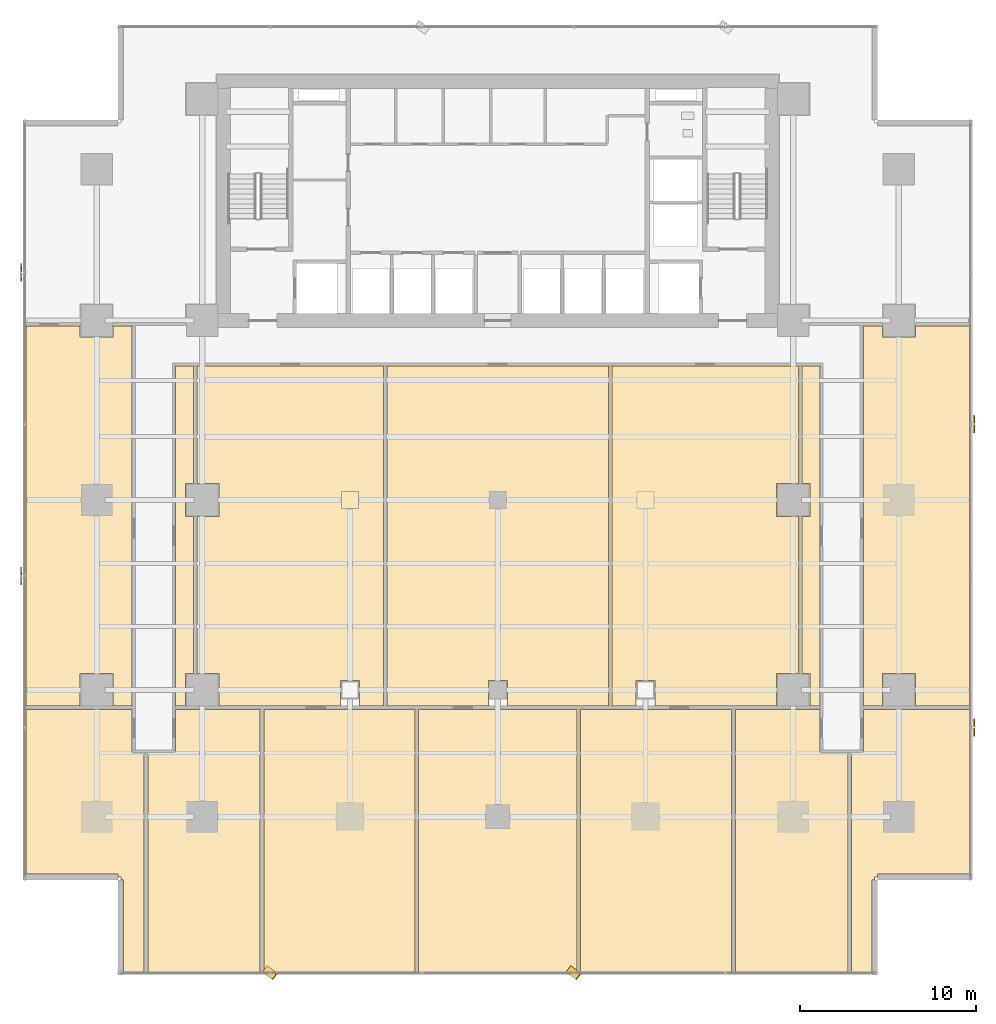
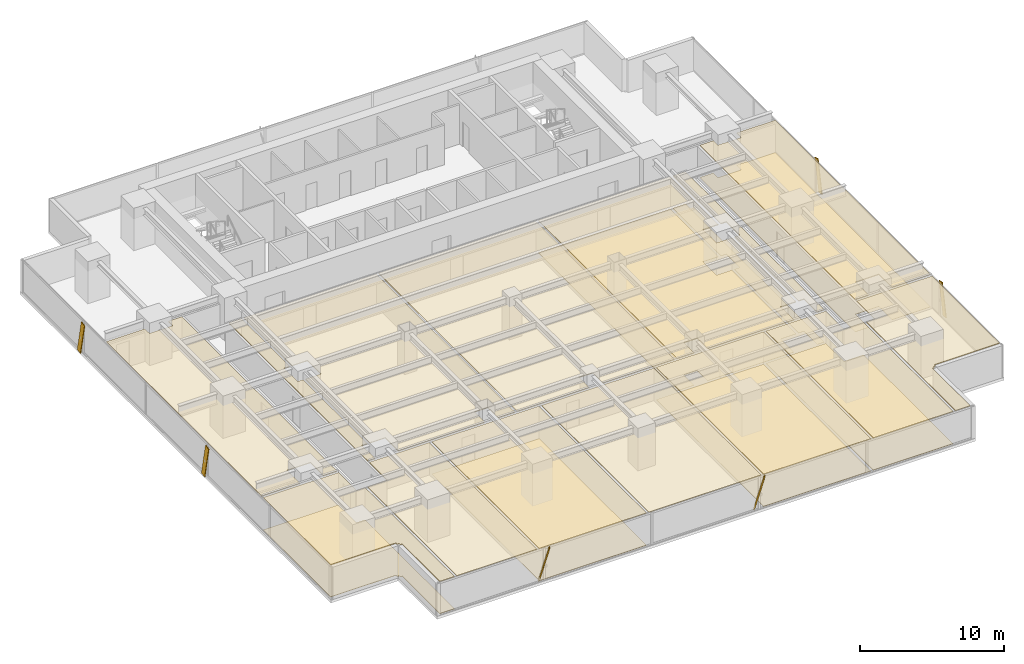
# One storey, part 29 of 33: 21 coverings, 6 shading devices.
"""IFC4 building model written with IfcOpenShell, lengths in metres."""

from ifc_helpers import new_model, si_unit, direction, frame, origin, origin_2d, place, context, subcontext, project, spatial, polyline, rectangle, outline, extrude, source, transform, mapped, material, layer, layer_set, material_profile, profile_set, type_object, element, save


model = new_model("IFC4")

# Units and contexts
model_context = context("Model", 3, precision=1e-05, world=origin(), true_north=direction((0.0, 1.0)))
body_context = subcontext(model_context, "Body", "Model", "MODEL_VIEW")
ifc_project = project(units=[si_unit("LENGTHUNIT", "METRE"), si_unit("AREAUNIT", "SQUARE_METRE"), si_unit("VOLUMEUNIT", "CUBIC_METRE"), si_unit("PLANEANGLEUNIT", "RADIAN"), si_unit("MASSUNIT", "GRAM", prefix="KILO")], contexts=[model_context])

# Site, building, storey
site_placement = place(None, origin())
site = spatial("IfcSite", under=ifc_project, at=site_placement, CompositionType="ELEMENT")
building_placement = place(site_placement, origin())
building = spatial("IfcBuilding", under=site, at=building_placement, Name="Sumidabori Civic Tower", CompositionType="ELEMENT")
storey_placement = place(building_placement, frame((0.0, 0.0, 59.60009765625)))
storey = spatial("IfcBuildingStorey", under=building, at=storey_placement, Name="L15", CompositionType="ELEMENT", Elevation=59.60009765625)

# Coverings
ifc_material_1 = material(Name="Gypsum Coffered Acoustic Ceiling")
ifc_layer_1 = layer(ifc_material_1, 0.06494140625, Name="Gypsum Coffered Acoustic Ceiling")
ifc_layer_set_1 = layer_set([ifc_layer_1], Name="Gypsum Coffered Acoustic Ceiling")
covering_type_1 = type_object("IfcCoveringType", Name="CV-CEIL-AC4", PredefinedType="CEILING", material=ifc_layer_set_1)
covering_1_placement = place(storey_placement, frame((0.0, 0.0, 2.7099609375)))
element("IfcCovering", 1, at=covering_1_placement, inside=storey, type_object=covering_type_1, Name="Room Acoustic Ceiling L15-02", PredefinedType="CEILING", context=body_context, shape_type="SweptSolid", body=[
    extrude(outline(polyline([(-21.860107421875, -11.697509765625), (-21.860107421875, -9.860107421875), (-23.739990234375, -9.860107421875), (-23.739990234375, -11.697509765625), (-26.830078125, -11.697509765625), (-26.830078125, 9.8974609375), (-23.739990234375, 9.8974609375), (-23.739990234375, 9.260009765625), (-21.860107421875, 9.260009765625), (-21.860107421875, 9.8974609375), (-20.784912109375, 9.8974609375), (-20.784912109375, -11.697509765625), (-21.860107421875, -11.697509765625)])), origin(), (0.0, 0.0, 1.0), 0.06494140625),
])
covering_2_placement = place(storey_placement, frame((0.0, 0.0, 2.7099609375)))
element("IfcCovering", 2, at=covering_2_placement, inside=storey, type_object=covering_type_1, Name="Room Acoustic Ceiling L15-03", PredefinedType="CEILING", context=body_context, shape_type="SweptSolid", body=[
    extrude(outline(polyline([(20.784912109375, 9.8974609375), (21.860107421875, 9.8974609375), (21.860107421875, 9.260009765625), (23.739990234375, 9.260009765625), (23.739990234375, 9.8974609375), (26.830078125, 9.8974609375), (26.830078125, -11.697509765625), (23.739990234375, -11.697509765625), (23.739990234375, -9.860107421875), (21.860107421875, -9.860107421875), (21.860107421875, -11.697509765625), (20.784912109375, -11.697509765625), (20.784912109375, 9.8974609375)])), origin(), (0.0, 0.0, 1.0), 0.06494140625),
])
covering_3_placement = place(storey_placement, frame((0.0, 0.0, 2.7099609375)))
element("IfcCovering", 3, at=covering_3_placement, inside=storey, type_object=covering_type_1, Name="Room Acoustic Ceiling L15-04", PredefinedType="CEILING", context=body_context, shape_type="SweptSolid", body=[
    extrude(outline(polyline([(-18.31494140625, 7.614990234375), (-17.302490234375, 7.614990234375), (-17.302490234375, 0.93994140625), (-17.739990234375, 0.93994140625), (-17.739990234375, -0.93994140625), (-17.302490234375, -0.93994140625), (-17.302490234375, -9.860107421875), (-17.739990234375, -9.860107421875), (-17.739990234375, -11.697509765625), (-18.31494140625, -11.697509765625), (-18.31494140625, 7.614990234375)])), origin(), (0.0, 0.0, 1.0), 0.06494140625),
])
covering_4_placement = place(storey_placement, frame((0.0, 0.0, 2.7099609375)))
element("IfcCovering", 4, at=covering_4_placement, inside=storey, type_object=covering_type_1, Name="Room Acoustic Ceiling L15-05", PredefinedType="CEILING", context=body_context, shape_type="SweptSolid", body=[
    extrude(outline(polyline([(18.31494140625, 7.614990234375), (18.31494140625, -11.697509765625), (17.739990234375, -11.697509765625), (17.739990234375, -9.860107421875), (17.302490234375, -9.860107421875), (17.302490234375, -0.93994140625), (17.739990234375, -0.93994140625), (17.739990234375, 0.93994140625), (17.302490234375, 0.93994140625), (17.302490234375, 7.614990234375), (18.31494140625, 7.614990234375)])), origin(), (0.0, 0.0, 1.0), 0.06494140625),
])
covering_5_placement = place(storey_placement, frame((0.0, 0.0, 2.7099609375)))
element("IfcCovering", 5, at=covering_5_placement, inside=storey, type_object=covering_type_1, Name="Room Acoustic Ceiling L15-06", PredefinedType="CEILING", context=body_context, shape_type="SweptSolid", body=[
    extrude(outline(polyline([(-6.50244140625, 7.614990234375), (-6.50244140625, -11.697509765625), (-7.860107421875, -11.697509765625), (-7.860107421875, -10.260009765625), (-8.93994140625, -10.260009765625), (-8.93994140625, -11.697509765625), (-15.860107421875, -11.697509765625), (-15.860107421875, -9.860107421875), (-17.097412109375, -9.860107421875), (-17.097412109375, -0.93994140625), (-15.860107421875, -0.93994140625), (-15.860107421875, 0.93994140625), (-17.097412109375, 0.93994140625), (-17.097412109375, 7.614990234375), (-6.50244140625, 7.614990234375)])), origin(), (0.0, 0.0, 1.0), 0.06494140625),
])
covering_6_placement = place(storey_placement, frame((0.0, 0.0, 2.7099609375)))
element("IfcCovering", 6, at=covering_6_placement, inside=storey, type_object=covering_type_1, Name="Room Acoustic Ceiling L15-07", PredefinedType="CEILING", context=body_context, shape_type="SweptSolid", body=[
    extrude(outline(polyline([(6.50244140625, 7.614990234375), (17.097412109375, 7.614990234375), (17.097412109375, 0.93994140625), (15.860107421875, 0.93994140625), (15.860107421875, -0.93994140625), (17.097412109375, -0.93994140625), (17.097412109375, -9.860107421875), (15.860107421875, -9.860107421875), (15.860107421875, -11.697509765625), (8.93994140625, -11.697509765625), (8.93994140625, -10.260009765625), (7.860107421875, -10.260009765625), (7.860107421875, -11.697509765625), (6.50244140625, -11.697509765625), (6.50244140625, 7.614990234375)])), origin(), (0.0, 0.0, 1.0), 0.06494140625),
])
covering_7_placement = place(storey_placement, frame((0.0, 0.0, 2.7099609375)))
element("IfcCovering", 7, at=covering_7_placement, inside=storey, type_object=covering_type_1, Name="Room Acoustic Ceiling L15-08", PredefinedType="CEILING", context=body_context, shape_type="SweptSolid", body=[
    extrude(outline(polyline([(-6.297607421875, 7.614990234375), (6.297607421875, 7.614990234375), (6.297607421875, -11.697509765625), (0.5400390625, -11.697509765625), (0.5400390625, -10.260009765625), (-0.5400390625, -10.260009765625), (-0.5400390625, -11.697509765625), (-6.297607421875, -11.697509765625), (-6.297607421875, 7.614990234375)])), origin(), (0.0, 0.0, 1.0), 0.06494140625),
])
covering_8_placement = place(storey_placement, frame((0.0, 0.0, 2.7099609375)))
element("IfcCovering", 8, at=covering_8_placement, inside=storey, type_object=covering_type_1, Name="Room Acoustic Ceiling L15-09", PredefinedType="CEILING", context=body_context, shape_type="SweptSolid", body=[
    extrude(outline(polyline([(-26.830078125, -21.27197265625), (-26.830078125, -11.902587890625), (-20.784912109375, -11.902587890625), (-20.784912109375, -14.385009765625), (-20.1025390625, -14.385009765625), (-20.1025390625, -26.830078125), (-21.27197265625, -26.830078125), (-21.27197265625, -21.592041015625), (-21.429931640625, -21.592041015625), (-21.429931640625, -21.429931640625), (-21.592041015625, -21.429931640625), (-21.592041015625, -21.27197265625), (-26.830078125, -21.27197265625)])), origin(), (0.0, 0.0, 1.0), 0.06494140625),
])
covering_9_placement = place(storey_placement, frame((0.0, 0.0, 2.7099609375)))
element("IfcCovering", 9, at=covering_9_placement, inside=storey, type_object=covering_type_1, Name="Room Acoustic Ceiling L15-10", PredefinedType="CEILING", context=body_context, shape_type="SweptSolid", body=[
    extrude(outline(polyline([(20.784912109375, -14.385009765625), (20.784912109375, -11.902587890625), (26.830078125, -11.902587890625), (26.830078125, -21.27197265625), (21.592041015625, -21.27197265625), (21.592041015625, -21.429931640625), (21.429931640625, -21.429931640625), (21.429931640625, -21.592041015625), (21.27197265625, -21.592041015625), (21.27197265625, -26.830078125), (20.1025390625, -26.830078125), (20.1025390625, -14.385009765625), (20.784912109375, -14.385009765625)])), origin(), (0.0, 0.0, 1.0), 0.06494140625),
])
covering_10_placement = place(storey_placement, frame((0.0, 0.0, 2.7099609375)))
element("IfcCovering", 10, at=covering_10_placement, inside=storey, type_object=covering_type_1, Name="Room Acoustic Ceiling L15-11", PredefinedType="CEILING", context=body_context, shape_type="SweptSolid", body=[
    extrude(outline(polyline([(-4.702392578125, -26.830078125), (-13.297607421875, -26.830078125), (-13.297607421875, -11.902587890625), (-4.702392578125, -11.902587890625), (-4.702392578125, -26.830078125)])), origin(), (0.0, 0.0, 1.0), 0.06494140625),
])
covering_11_placement = place(storey_placement, frame((0.0, 0.0, 2.7099609375)))
element("IfcCovering", 11, at=covering_11_placement, inside=storey, type_object=covering_type_1, Name="Room Acoustic Ceiling L15-12", PredefinedType="CEILING", context=body_context, shape_type="SweptSolid", body=[
    extrude(outline(polyline([(4.49755859375, -26.830078125), (-4.49755859375, -26.830078125), (-4.49755859375, -11.902587890625), (4.49755859375, -11.902587890625), (4.49755859375, -26.830078125)])), origin(), (0.0, 0.0, 1.0), 0.06494140625),
])
covering_12_placement = place(storey_placement, frame((0.0, 0.0, 2.7099609375)))
element("IfcCovering", 12, at=covering_12_placement, inside=storey, type_object=covering_type_1, Name="Room Acoustic Ceiling L15-13", PredefinedType="CEILING", context=body_context, shape_type="SweptSolid", body=[
    extrude(outline(polyline([(13.297607421875, -26.830078125), (4.702392578125, -26.830078125), (4.702392578125, -11.902587890625), (13.297607421875, -11.902587890625), (13.297607421875, -26.830078125)])), origin(), (0.0, 0.0, 1.0), 0.06494140625),
])
covering_13_placement = place(storey_placement, frame((0.0, 0.0, 2.7099609375)))
element("IfcCovering", 13, at=covering_13_placement, inside=storey, type_object=covering_type_1, Name="Room Acoustic Ceiling L15-14", PredefinedType="CEILING", context=body_context, shape_type="SweptSolid", body=[
    extrude(outline(polyline([(-18.31494140625, -14.385009765625), (-18.31494140625, -11.902587890625), (-13.50244140625, -11.902587890625), (-13.50244140625, -26.830078125), (-19.8974609375, -26.830078125), (-19.8974609375, -14.385009765625), (-18.31494140625, -14.385009765625)])), origin(), (0.0, 0.0, 1.0), 0.06494140625),
])
covering_14_placement = place(storey_placement, frame((0.0, 0.0, 2.7099609375)))
element("IfcCovering", 14, at=covering_14_placement, inside=storey, type_object=covering_type_1, Name="Room Acoustic Ceiling L15-15", PredefinedType="CEILING", context=body_context, shape_type="SweptSolid", body=[
    extrude(outline(polyline([(18.31494140625, -14.385009765625), (19.8974609375, -14.385009765625), (19.8974609375, -26.830078125), (13.50244140625, -26.830078125), (13.50244140625, -11.902587890625), (18.31494140625, -11.902587890625), (18.31494140625, -14.385009765625)])), origin(), (0.0, 0.0, 1.0), 0.06494140625),
])
ifc_material_2 = material(Name="Honed Terrazzo Tile Flooring")
ifc_layer_2 = layer(ifc_material_2, 0.030029296875, Name="Honed Terrazzo Tile Flooring")
ifc_layer_set_2 = layer_set([ifc_layer_2], Name="Honed Terrazzo Tile Flooring")
covering_type_2 = type_object("IfcCoveringType", Name="CV-FLR-TER", PredefinedType="FLOORING", material=ifc_layer_set_2)
covering_15_placement = place(storey_placement, origin())
element("IfcCovering", 15, at=covering_15_placement, inside=storey, type_object=covering_type_2, Name="Room Terrazzo Floor L15-03", PredefinedType="FLOORING", context=body_context, shape_type="SweptSolid", body=[
    extrude(outline(polyline([(20.784912109375, 9.8974609375), (21.860107421875, 9.8974609375), (21.860107421875, 9.260009765625), (23.739990234375, 9.260009765625), (23.739990234375, 9.8974609375), (26.830078125, 9.8974609375), (26.830078125, -11.697509765625), (23.739990234375, -11.697509765625), (23.739990234375, -9.860107421875), (21.860107421875, -9.860107421875), (21.860107421875, -11.697509765625), (20.784912109375, -11.697509765625), (20.784912109375, 9.8974609375)])), origin(), (0.0, 0.0, 1.0), 0.02978515625),
])
covering_16_placement = place(storey_placement, origin())
element("IfcCovering", 16, at=covering_16_placement, inside=storey, type_object=covering_type_2, Name="Room Terrazzo Floor L15-05", PredefinedType="FLOORING", context=body_context, shape_type="SweptSolid", body=[
    extrude(outline(polyline([(18.31494140625, 7.614990234375), (18.31494140625, -11.697509765625), (17.739990234375, -11.697509765625), (17.739990234375, -9.860107421875), (17.302490234375, -9.860107421875), (17.302490234375, -0.93994140625), (17.739990234375, -0.93994140625), (17.739990234375, 0.93994140625), (17.302490234375, 0.93994140625), (17.302490234375, 7.614990234375), (18.31494140625, 7.614990234375)])), origin(), (0.0, 0.0, 1.0), 0.02978515625),
])
covering_17_placement = place(storey_placement, origin())
element("IfcCovering", 17, at=covering_17_placement, inside=storey, type_object=covering_type_2, Name="Room Terrazzo Floor L15-07", PredefinedType="FLOORING", context=body_context, shape_type="SweptSolid", body=[
    extrude(outline(polyline([(6.50244140625, 7.614990234375), (17.097412109375, 7.614990234375), (17.097412109375, 0.93994140625), (15.860107421875, 0.93994140625), (15.860107421875, -0.93994140625), (17.097412109375, -0.93994140625), (17.097412109375, -9.860107421875), (15.860107421875, -9.860107421875), (15.860107421875, -11.697509765625), (8.93994140625, -11.697509765625), (8.93994140625, -10.260009765625), (7.860107421875, -10.260009765625), (7.860107421875, -11.697509765625), (6.50244140625, -11.697509765625), (6.50244140625, 7.614990234375)])), origin(), (0.0, 0.0, 1.0), 0.02978515625),
])
covering_18_placement = place(storey_placement, origin())
element("IfcCovering", 18, at=covering_18_placement, inside=storey, type_object=covering_type_2, Name="Room Terrazzo Floor L15-09", PredefinedType="FLOORING", context=body_context, shape_type="SweptSolid", body=[
    extrude(outline(polyline([(-26.830078125, -21.27197265625), (-26.830078125, -11.902587890625), (-20.784912109375, -11.902587890625), (-20.784912109375, -14.385009765625), (-20.1025390625, -14.385009765625), (-20.1025390625, -26.830078125), (-21.27197265625, -26.830078125), (-21.27197265625, -21.592041015625), (-21.429931640625, -21.592041015625), (-21.429931640625, -21.429931640625), (-21.592041015625, -21.429931640625), (-21.592041015625, -21.27197265625), (-26.830078125, -21.27197265625)])), origin(), (0.0, 0.0, 1.0), 0.02978515625),
])
covering_19_placement = place(storey_placement, origin())
element("IfcCovering", 19, at=covering_19_placement, inside=storey, type_object=covering_type_2, Name="Room Terrazzo Floor L15-11", PredefinedType="FLOORING", context=body_context, shape_type="SweptSolid", body=[
    extrude(outline(polyline([(-4.702392578125, -26.830078125), (-13.297607421875, -26.830078125), (-13.297607421875, -11.902587890625), (-4.702392578125, -11.902587890625), (-4.702392578125, -26.830078125)])), origin(), (0.0, 0.0, 1.0), 0.02978515625),
])
covering_20_placement = place(storey_placement, origin())
element("IfcCovering", 20, at=covering_20_placement, inside=storey, type_object=covering_type_2, Name="Room Terrazzo Floor L15-13", PredefinedType="FLOORING", context=body_context, shape_type="SweptSolid", body=[
    extrude(outline(polyline([(13.297607421875, -26.830078125), (4.702392578125, -26.830078125), (4.702392578125, -11.902587890625), (13.297607421875, -11.902587890625), (13.297607421875, -26.830078125)])), origin(), (0.0, 0.0, 1.0), 0.02978515625),
])
covering_21_placement = place(storey_placement, origin())
element("IfcCovering", 21, at=covering_21_placement, inside=storey, type_object=covering_type_2, Name="Room Terrazzo Floor L15-15", PredefinedType="FLOORING", context=body_context, shape_type="SweptSolid", body=[
    extrude(outline(polyline([(18.31494140625, -14.385009765625), (19.8974609375, -14.385009765625), (19.8974609375, -26.830078125), (13.50244140625, -26.830078125), (13.50244140625, -11.902587890625), (18.31494140625, -11.902587890625), (18.31494140625, -14.385009765625)])), origin(), (0.0, 0.0, 1.0), 0.02978515625),
])

# Shading devices
ifc_material_3 = material(Name="Anodised Bronze Aluminium AW-6063-T6", Category="aluminium")
ifc_material_profile = material_profile(ifc_material_3, rectangle(XDim=0.06005859375, YDim=0.449951171875, at=origin_2d()), Name="BRONZE FIN 450x60")
ifc_profile_set = profile_set([ifc_material_profile], Name="Anodised Bronze Aluminium AW-6063-T6")
shading_device_type = type_object("IfcShadingDeviceType", Name="SH-FIN-450", PredefinedType="USERDEFINED", material=ifc_profile_set)
shared_shape_1 = source(origin(), body_context, "Body", "SweptSolid", [
    extrude(rectangle(XDim=0.06005859375, YDim=0.449951171875, at=origin_2d()), origin(), (0.0, 0.0, 1.0), 2.769775390625),
])
for number, where, z_axis, x_axis, name in (
    (22, (-13.221923828125, -26.669921875, 0.02001953125), (0.20211139135, -0.151693721986, 0.967543280787), (0.773832092044, -0.580795913828, -0.252705361643), "Bronze Anodised Diagonal Fin L15-01"),
    (23, (4.033935546875, -26.669921875, 0.02001953125), (0.202195931323, -0.151691019096, 0.967526041035), (0.773939855131, -0.580623579198, -0.252771358975), "Bronze Anodised Diagonal Fin L15-03"),
):
    element("IfcShadingDevice", number, at=place(storey_placement, frame(where, z_axis=z_axis, x_axis=x_axis)), inside=storey, type_object=shading_device_type, Name=name, ObjectType="FIN", PredefinedType="USERDEFINED", context=body_context, shape_type="MappedRepresentation", body=[
        mapped(shared_shape_1, transform((0.0, 0.0, 0.0), x_axis=(1.0, 0.0, 0.0), y_axis=(0.0, 1.0, 0.0), z_axis=(0.0, 0.0, 1.0), scale=1.0)),
    ])
shared_shape_2 = source(origin(), body_context, "Body", "SweptSolid", [
    extrude(rectangle(XDim=0.06005859375, YDim=0.449951171875, at=origin_2d()), origin(), (0.0, 0.0, 1.0), 2.73779296875),
])
for number, where, z_axis, x_axis, name in (
    (24, (27.090087890625, -13.221923828125, 0.02001953125), (0.0, 0.204477700022, 0.978871222477), (-1.0, 0.0, 0.0), "Bronze Anodised Diagonal Fin L15-01"),
    (25, (27.090087890625, 4.033935546875, 0.02001953125), (0.0, 0.204563143937, 0.978853370093), (-1.0, 0.0, 0.0), "Bronze Anodised Diagonal Fin L15-03"),
    (26, (-27.090087890625, 13.221923828125, 0.02001953125), (0.0, -0.204477700022, 0.978871222477), (-1.0, 0.0, 0.0), "Bronze Anodised Diagonal Fin L15-01"),
    (27, (-27.090087890625, -4.033935546875, 0.02001953125), (0.0, -0.204563143937, 0.978853370093), (-1.0, 0.0, 0.0), "Bronze Anodised Diagonal Fin L15-03"),
):
    element("IfcShadingDevice", number, at=place(storey_placement, frame(where, z_axis=z_axis, x_axis=x_axis)), inside=storey, type_object=shading_device_type, Name=name, ObjectType="FIN", PredefinedType="USERDEFINED", context=body_context, shape_type="MappedRepresentation", body=[
        mapped(shared_shape_2, transform((0.0, 0.0, 0.0), x_axis=(1.0, 0.0, 0.0), y_axis=(0.0, 1.0, 0.0), z_axis=(0.0, 0.0, 1.0), scale=1.0)),
    ])

save(model, "model.ifc")
